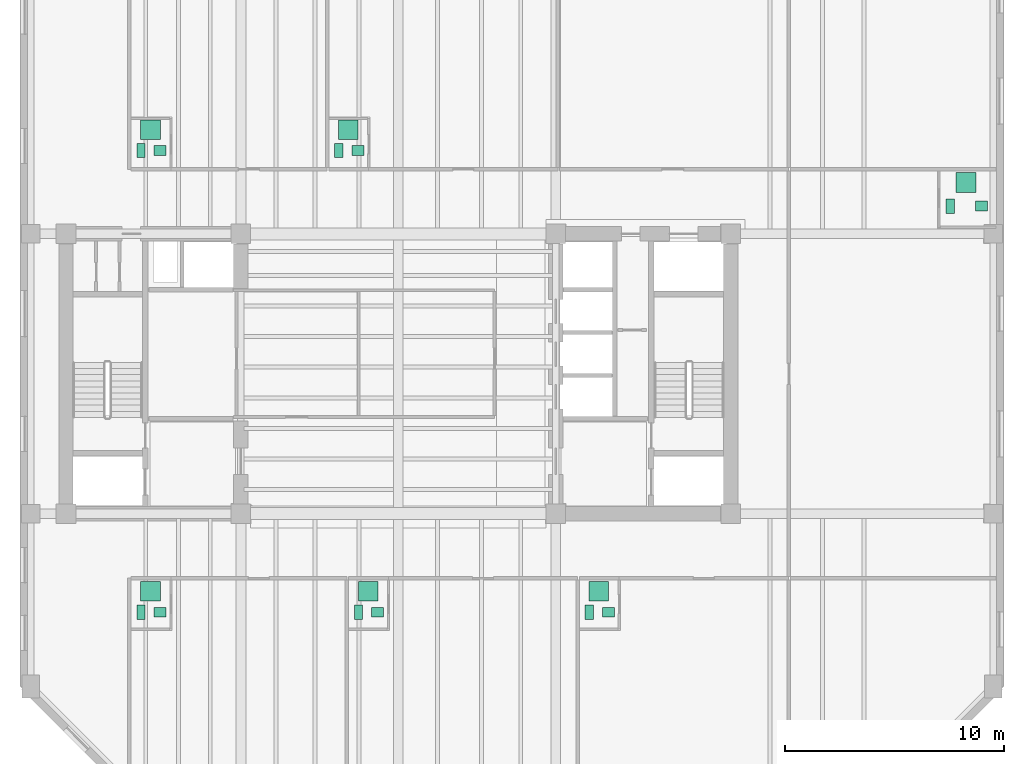
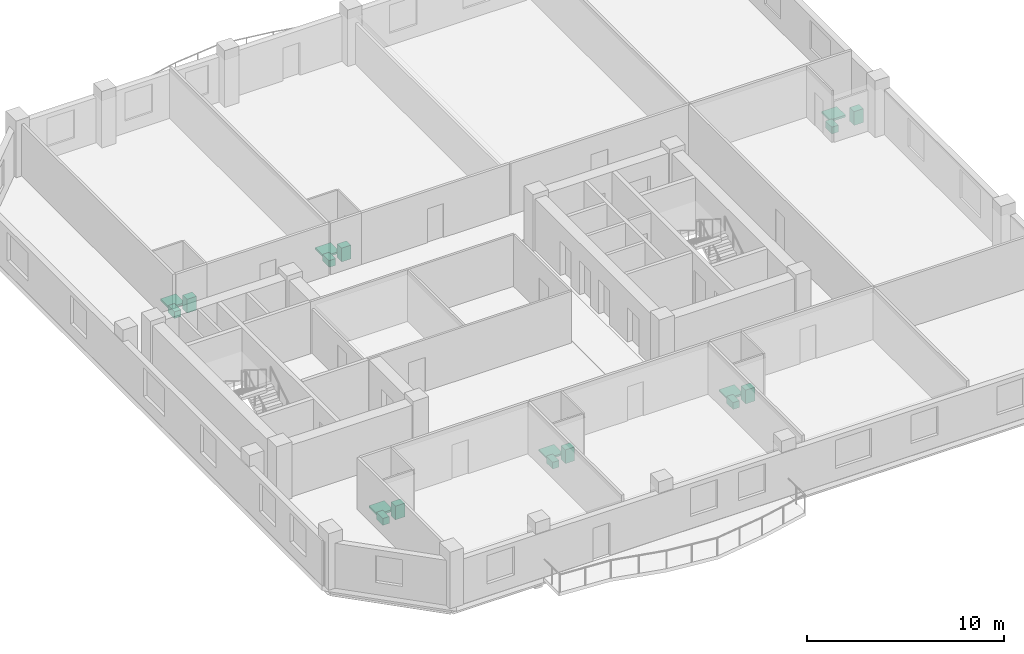
# One storey, part 9 of 9: 18 sanitary terminals.
"""IFC4 building model written with IfcOpenShell, lengths in metres."""

from ifc_helpers import new_model, si_unit, direction, frame, origin, origin_2d, place, context, subcontext, project, spatial, rectangle, extrude, material, type_object, element, save


model = new_model("IFC4")

# Units and contexts
model_context = context("Model", 3, precision=1e-05, world=origin(), true_north=direction((0.0, 1.0)))
body_context = subcontext(model_context, "Body", "Model", "MODEL_VIEW")
ifc_project = project(units=[si_unit("LENGTHUNIT", "METRE"), si_unit("AREAUNIT", "SQUARE_METRE"), si_unit("VOLUMEUNIT", "CUBIC_METRE"), si_unit("PLANEANGLEUNIT", "RADIAN"), si_unit("MASSUNIT", "GRAM", prefix="KILO")], contexts=[model_context])

# Site, building, storey
site_placement = place(None, origin())
site = spatial("IfcSite", under=ifc_project, at=site_placement, CompositionType="ELEMENT")
building_placement = place(site_placement, origin())
building = spatial("IfcBuilding", under=site, at=building_placement, Name="Kranthara Brick Stack", CompositionType="ELEMENT")
storey_placement = place(building_placement, frame((0.0, 0.0, 165.800048828125)))
storey = spatial("IfcBuildingStorey", under=building, at=storey_placement, Name="L42", CompositionType="ELEMENT", Elevation=165.800048828125)

# Sanitary terminals
ifc_material_1 = material(Name="Vitreous china sanitary porcelain", Category="other")
sanitary_terminal_type_1 = type_object("IfcSanitaryTerminalType", Name="SAN-BASIN", PredefinedType="WASHHANDBASIN", material=ifc_material_1)
for number, where, z_axis, x_axis, name in (
    (1, (17.110107421875, 16.294921875, 0.0), (0.0, 0.0, 1.0), (1.0, 0.0, 0.0), "L42 Washbasin 207"),
    (2, (27.05908203125, 16.294921875, 0.0), (0.0, 0.0, 1.0), (1.0, 0.0, 0.0), "L42 Washbasin 208"),
    (3, (37.612060546875, 16.294921875, 0.0), (0.0, 0.0, 1.0), (1.0, 0.0, 0.0), "L42 Washbasin 209"),
    (4, (17.110107421875, 37.405029296875, 0.0), (0.0, 0.0, 1.0), (1.0, 0.0, 0.0), "L42 Washbasin 210"),
    (5, (26.155029296875, 37.405029296875, 0.0), (0.0, 0.0, 1.0), (1.0, 0.0, 0.0), "L42 Washbasin 211"),
    (6, (54.679931640625, 34.864990234375, 0.0), (0.0, 0.0, 1.0), (1.0, 0.0, 0.0), "L42 Washbasin 212"),
):
    element("IfcSanitaryTerminal", number, at=place(storey_placement, frame(where, z_axis=z_axis, x_axis=x_axis)), inside=storey, type_object=sanitary_terminal_type_1, Name=name, PredefinedType="WASHHANDBASIN", context=body_context, shape_type="SweptSolid", body=[
        extrude(rectangle(XDim=0.550048828125, YDim=0.449951171875, at=origin_2d()), origin(), (0.0, 0.0, 1.0), 0.85009765625),
    ])
ifc_material_2 = material(Name="Acrylic and porcelain shower tray", Category="other")
sanitary_terminal_type_2 = type_object("IfcSanitaryTerminalType", Name="SAN-SHOWER", PredefinedType="SHOWER", material=ifc_material_2)
for number, where, z_axis, x_axis, name in (
    (7, (16.669921875, 17.25, 0.0), (0.0, 0.0, 1.0), (1.0, 0.0, 0.0), "L42 Shower Tray 207"),
    (8, (26.618896484375, 17.25, 0.0), (0.0, 0.0, 1.0), (1.0, 0.0, 0.0), "L42 Shower Tray 208"),
    (9, (37.172119140625, 17.25, 0.0), (0.0, 0.0, 1.0), (1.0, 0.0, 0.0), "L42 Shower Tray 209"),
    (10, (16.669921875, 38.360107421875, 0.0), (0.0, 0.0, 1.0), (1.0, 0.0, 0.0), "L42 Shower Tray 210"),
    (11, (25.715087890625, 38.360107421875, 0.0), (0.0, 0.0, 1.0), (1.0, 0.0, 0.0), "L42 Shower Tray 211"),
    (12, (53.9599609375, 35.949951171875, 0.0), (0.0, 0.0, 1.0), (1.0, 0.0, 0.0), "L42 Shower Tray 212"),
):
    element("IfcSanitaryTerminal", number, at=place(storey_placement, frame(where, z_axis=z_axis, x_axis=x_axis)), inside=storey, type_object=sanitary_terminal_type_2, Name=name, PredefinedType="SHOWER", context=body_context, shape_type="SweptSolid", body=[
        extrude(rectangle(XDim=0.89990234375, YDim=0.89990234375, at=origin_2d()), origin(), (0.0, 0.0, 1.0), 0.1201171875),
    ])
ifc_material_3 = material(Name="Vitreous china sanitary porcelain", Category="other")
sanitary_terminal_type_3 = type_object("IfcSanitaryTerminalType", Name="SAN-WC-PAN", PredefinedType="TOILETPAN", material=ifc_material_3)
for number, where, z_axis, x_axis, name in (
    (13, (16.22998046875, 16.294921875, 0.0), (0.0, 0.0, 1.0), (1.0, 0.0, 0.0), "L42 WC Pan 207"),
    (14, (26.178955078125, 16.294921875, 0.0), (0.0, 0.0, 1.0), (1.0, 0.0, 0.0), "L42 WC Pan 208"),
    (15, (36.73193359375, 16.294921875, 0.0), (0.0, 0.0, 1.0), (1.0, 0.0, 0.0), "L42 WC Pan 209"),
    (16, (16.22998046875, 37.405029296875, 0.0), (0.0, 0.0, 1.0), (1.0, 0.0, 0.0), "L42 WC Pan 210"),
    (17, (25.27490234375, 37.405029296875, 0.0), (0.0, 0.0, 1.0), (1.0, 0.0, 0.0), "L42 WC Pan 211"),
    (18, (53.239990234375, 34.864990234375, 0.0), (0.0, 0.0, 1.0), (1.0, 0.0, 0.0), "L42 WC Pan 212"),
):
    element("IfcSanitaryTerminal", number, at=place(storey_placement, frame(where, z_axis=z_axis, x_axis=x_axis)), inside=storey, type_object=sanitary_terminal_type_3, Name=name, PredefinedType="TOILETPAN", context=body_context, shape_type="SweptSolid", body=[
        extrude(rectangle(XDim=0.3798828125, YDim=0.64990234375, at=origin_2d()), origin(), (0.0, 0.0, 1.0), 0.419921875),
    ])

save(model, "model.ifc")
